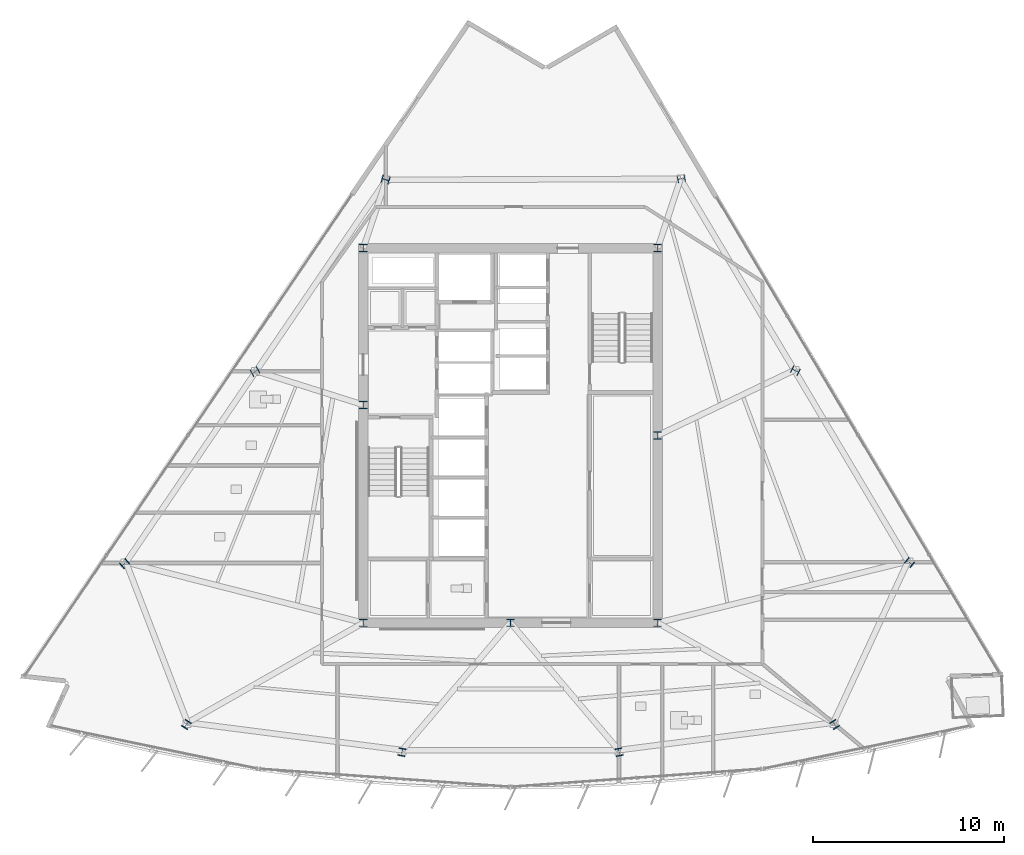
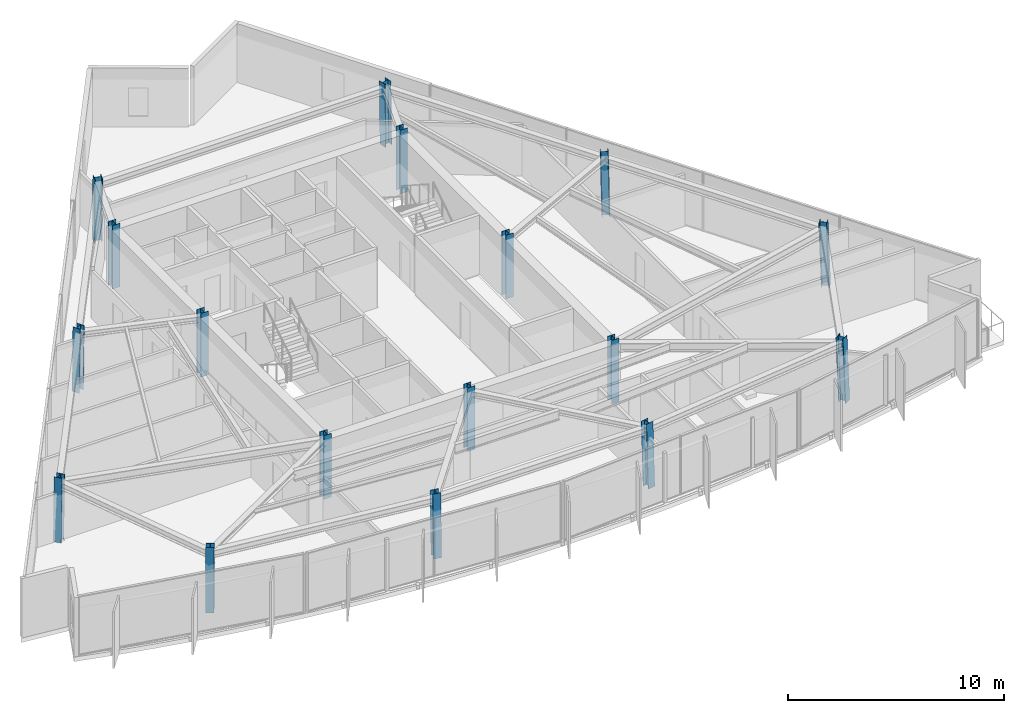
# One storey, part 1 of 15: 17 columns.
"""IFC4 building model written with IfcOpenShell, lengths in metres."""

import ifcopenshell
import ifcopenshell.guid

model = None  # the IFC model being written
_history = None  # IfcOwnerHistory: only IFC2X3 demands one
_inside = {}  # id of a spatial element -> (the spatial element, [elements in it])
_under = {}  # id of a project, library or spatial element -> (it, [spatial elements below it])
_declared = {}  # id of a project -> (the project, [libraries it declares])
_typed = {}  # id of a type object -> (the type object, [elements of that type])
_made_of = {}  # id of a material, layer set ... -> (it, [elements and type objects made of it])


def new_model(schema):
    """Start an empty IFC model of exactly this schema.

    Asked for "IFC4X3", IfcOpenShell would pick the latest addendum, in which some entities
    have other attributes; the version numbers below select the first issue.
    IFC2X3 requires an IfcOwnerHistory on every rooted entity: one is made here for all.
    """
    global model, _history
    if schema == "IFC4X3":
        model = ifcopenshell.file(schema_version=(4, 3, 0, 0))
    else:
        model = ifcopenshell.file(schema=schema)
    _inside.clear()
    _under.clear()
    _declared.clear()
    _typed.clear()
    _made_of.clear()
    _history = None
    if model.schema == "IFC2X3":
        org = make("IfcOrganization", Name="unknown")
        user = make(
            "IfcPersonAndOrganization",
            ThePerson=make("IfcPerson", FamilyName="unknown"),
            TheOrganization=org,
        )
        app = make(
            "IfcApplication",
            ApplicationDeveloper=org,
            Version="unknown",
            ApplicationFullName="unknown",
            ApplicationIdentifier="unknown",
        )
        _history = make(
            "IfcOwnerHistory",
            OwningUser=user,
            OwningApplication=app,
            ChangeAction="ADDED",
            CreationDate=0,
        )
    return model


def make(cls, **values):
    """One entity of the class cls with the attributes given. An attribute that is None is left unset."""
    return model.create_entity(
        cls, **{name: value for name, value in values.items() if value is not None}
    )


def rooted(cls, **values):
    """An entity with a GlobalId (a new one), such as an element, a storey or a relation."""
    return make(cls, GlobalId=ifcopenshell.guid.new(), OwnerHistory=_history, **values)


def si_unit(unit_type, name, prefix=None):
    """IfcSIUnit, for example si_unit("LENGTHUNIT", "METRE", prefix="MILLI")."""
    return make("IfcSIUnit", UnitType=unit_type, Prefix=prefix, Name=name)


def assignment(units):
    """IfcUnitAssignment: the units of a project."""
    return None if units is None else make("IfcUnitAssignment", Units=units)


def point(xyz):
    """IfcCartesianPoint."""
    return None if xyz is None else make("IfcCartesianPoint", Coordinates=xyz)


def direction(xyz):
    """IfcDirection."""
    return None if xyz is None else make("IfcDirection", DirectionRatios=xyz)


def frame(location, z_axis=None, x_axis=None):
    """IfcAxis2Placement3D, a coordinate frame: its origin and axes. An axis left out is left unset."""
    return make(
        "IfcAxis2Placement3D",
        Location=point(location),
        Axis=direction(z_axis),
        RefDirection=direction(x_axis),
    )


def frame_2d(location, x_axis=None):
    """IfcAxis2Placement2D, a coordinate frame in the plane: its origin and x axis."""
    return make(
        "IfcAxis2Placement2D", Location=point(location), RefDirection=direction(x_axis)
    )


def origin():
    """The frame at (0, 0, 0) with its axes left unset."""
    return frame((0.0, 0.0, 0.0))


def origin_2d():
    """The frame at (0, 0) in the plane with its x axis left unset."""
    return frame_2d((0.0, 0.0))


def place(relative_to, where):
    """IfcLocalPlacement: puts the frame where relative to a parent placement (None: the world)."""
    return make(
        "IfcLocalPlacement", PlacementRelTo=relative_to, RelativePlacement=where
    )


def context(
    kind, dimensions, precision=None, world=None, true_north=None, identifier=None
):
    """IfcGeometricRepresentationContext, for example the 3D "Model" context."""
    return make(
        "IfcGeometricRepresentationContext",
        ContextIdentifier=identifier,
        ContextType=kind,
        CoordinateSpaceDimension=dimensions,
        Precision=precision,
        WorldCoordinateSystem=world,
        TrueNorth=true_north,
    )


def subcontext(parent, identifier, kind, view, scale=None):
    """IfcGeometricRepresentationSubContext, for example "Body" below "Model"."""
    return make(
        "IfcGeometricRepresentationSubContext",
        ContextIdentifier=identifier,
        ContextType=kind,
        ParentContext=parent,
        TargetScale=scale,
        TargetView=view,
    )


def project(units=None, contexts=None):
    """IfcProject with its units and contexts."""
    return rooted(
        "IfcProject",
        Name="project",
        RepresentationContexts=contexts,
        UnitsInContext=assignment(units),
    )


def spatial(cls, under=None, at=None, **own):
    """A site, building, storey or space (cls), placed at a placement, below another one or the project."""
    s = rooted(cls, ObjectPlacement=at, **own)
    if under is not None:
        _under.setdefault(under.id(), (under, []))[1].append(s)
    return s


def profile(cls, at=None, kind="AREA", **sizes):
    """A parametric profile (cls). Its sizes go by their IFC names, for example OverallWidth=200.0."""
    return make(cls, ProfileType=kind, Position=at, **sizes)


def i_section(**sizes):
    """IfcIShapeProfileDef."""
    return profile("IfcIShapeProfileDef", **sizes)


def extrude(swept, where, along, depth):
    """IfcExtrudedAreaSolid: the profile swept, set in the frame where, extruded along a direction by depth."""
    return make(
        "IfcExtrudedAreaSolid",
        SweptArea=swept,
        Position=where,
        ExtrudedDirection=direction(along),
        Depth=depth,
    )


def shape(context_of_items, identifier, shape_type, items):
    """IfcShapeRepresentation: the items that make up one representation, for example the "Body"."""
    return make(
        "IfcShapeRepresentation",
        ContextOfItems=context_of_items,
        RepresentationIdentifier=identifier,
        RepresentationType=shape_type,
        Items=items,
    )


def material(Name=None, Category=None):
    """IfcMaterial."""
    return make("IfcMaterial", Name=Name, Category=Category)


def material_profile(
    of_material, cross_section, Name=None, Category=None, Priority=None
):
    """IfcMaterialProfile: a cross section and its material."""
    return make(
        "IfcMaterialProfile",
        Name=Name,
        Material=of_material,
        Profile=cross_section,
        Priority=Priority,
        Category=Category,
    )


def profile_set(profiles, Name=None, composite=None):
    """IfcMaterialProfileSet."""
    return make(
        "IfcMaterialProfileSet",
        Name=Name,
        MaterialProfiles=profiles,
        CompositeProfile=composite,
    )


def made_of(thing, what):
    """Note that an element or type object is made of a material, layer set ...; save() writes the relation."""
    if what is not None:
        _made_of.setdefault(what.id(), (what, []))[1].append(thing)
    return thing


def type_object(cls, material=None, **own):
    """A type object (cls), such as IfcWallType, which elements share."""
    return made_of(rooted(cls, **own), material)


def element(
    cls,
    number,
    at=None,
    inside=None,
    cuts=None,
    type_object=None,
    material=None,
    context=None,
    identifier="Body",
    shape_type=None,
    held_by="IfcProductDefinitionShape",
    body=None,
    shapes=None,
    **own,
):
    """One element of the class cls, such as IfcWall. Its Tag is "e" and its number.

    at: its placement. inside: the storey or other place that contains it. cuts: it is an
    opening in that element (IfcRelVoidsElement). A single representation is given by context,
    identifier, shape_type and body (its items); several are given by shapes. held_by: the class
    of the entity that holds the representations. save() writes the other relations.
    """
    e = rooted(cls, Tag="e%d" % number, ObjectPlacement=at, **own)
    if body is not None:
        shapes = [shape(context, identifier, shape_type, body)]
    if shapes is not None:
        e.Representation = make(held_by, Representations=shapes)
    if inside is not None:
        _inside.setdefault(inside.id(), (inside, []))[1].append(e)
    if cuts is not None:
        rooted(
            "IfcRelVoidsElement", RelatingBuildingElement=cuts, RelatedOpeningElement=e
        )
    if type_object is not None:
        _typed.setdefault(type_object.id(), (type_object, []))[1].append(e)
    return made_of(e, material)


def aggregate(whole, parts):
    """IfcRelAggregates: a whole, such as a stair, and the parts it consists of."""
    return rooted("IfcRelAggregates", RelatingObject=whole, RelatedObjects=parts)


def save(model, path):
    """Write the relations noted so far, then the file.

    IfcRelAggregates (storeys below a building ...), IfcRelContainedInSpatialStructure (elements
    in a storey), IfcRelDefinesByType, IfcRelAssociatesMaterial and IfcRelDeclares: one each for
    every whole, place, type object, material and project.
    """
    for whole, parts in _under.values():
        aggregate(whole, parts)
    for where, things in _inside.values():
        rooted(
            "IfcRelContainedInSpatialStructure",
            RelatedElements=things,
            RelatingStructure=where,
        )
    for kind, things in _typed.values():
        rooted("IfcRelDefinesByType", RelatedObjects=things, RelatingType=kind)
    for what, things in _made_of.values():
        rooted("IfcRelAssociatesMaterial", RelatedObjects=things, RelatingMaterial=what)
    for by, libraries in _declared.values():
        rooted("IfcRelDeclares", RelatingContext=by, RelatedDefinitions=libraries)
    model.write(path)


model = new_model("IFC4")

# Units and contexts
model_context = context("Model", 3, precision=1e-05, world=origin(), true_north=direction((0.0, 1.0)))
body_context = subcontext(model_context, "Body", "Model", "MODEL_VIEW")
ifc_project = project(units=[si_unit("LENGTHUNIT", "METRE"), si_unit("AREAUNIT", "SQUARE_METRE"), si_unit("VOLUMEUNIT", "CUBIC_METRE"), si_unit("PLANEANGLEUNIT", "RADIAN"), si_unit("MASSUNIT", "GRAM", prefix="KILO")], contexts=[model_context])

# Site, building, storey
site_placement = place(None, origin())
site = spatial("IfcSite", under=ifc_project, at=site_placement, CompositionType="ELEMENT")
building_placement = place(site_placement, origin())
building = spatial("IfcBuilding", under=site, at=building_placement, Name="Savorim Split Tower", CompositionType="ELEMENT")
storey_placement = place(building_placement, frame((0.0, 0.0, 198.300048828125)))
storey = spatial("IfcBuildingStorey", under=building, at=storey_placement, Name="L52", CompositionType="ELEMENT", Elevation=198.300048828125)

# Columns
ifc_material = material(Name="Steel S355", Category="steel")
ifc_material_profile = material_profile(ifc_material, i_section(OverallWidth=0.39794921875, OverallDepth=0.386962890625, WebThickness=0.013427734375, FlangeThickness=0.02197265625, FilletRadius=0.014892578125, at=origin_2d()), Name="HD 400x262")
ifc_profile_set = profile_set([ifc_material_profile], Name="Steel S355")
column_type = type_object("IfcColumnType", Name="COL-HD-262", PredefinedType="COLUMN", material=ifc_profile_set)
for number, where, z_axis, x_axis, name in (
    (1, (-7.699951171875, -9.39990234375, 0.0), (0.0, 0.0, 1.0), (1.0, 0.0, 0.0), "L52 Core Structural Column TC-C1"),
    (2, (7.699951171875, -9.39990234375, 0.0), (0.0, 0.0, 1.0), (1.0, 0.0, 0.0), "L52 Core Structural Column TC-C2"),
    (3, (7.699951171875, 10.199951171875, 0.0), (0.0, 0.0, 1.0), (1.0, 0.0, 0.0), "L52 Core Structural Column TC-C3"),
    (4, (-7.699951171875, 10.199951171875, 0.0), (0.0, 0.0, 1.0), (1.0, 0.0, 0.0), "L52 Core Structural Column TC-C4"),
    (5, (0.0, -9.39990234375, 0.0), (0.0, 0.0, 1.0), (1.0, 0.0, 0.0), "L52 Core Structural Column TC-C5"),
    (6, (7.699951171875, 0.39990234375, 0.0), (0.0, 0.0, 1.0), (1.0, 0.0, 0.0), "L52 Core Structural Column TC-C6"),
    (7, (-7.699951171875, 2.0, 0.0), (0.0, 0.0, 1.0), (1.0, 0.0, 0.0), "L52 Core Structural Column TC-C7"),
):
    element("IfcColumn", number, at=place(storey_placement, frame(where, z_axis=z_axis, x_axis=x_axis)), inside=storey, type_object=column_type, Name=name, PredefinedType="COLUMN", context=body_context, shape_type="SweptSolid", body=[
        extrude(i_section(OverallWidth=0.39794921875, OverallDepth=0.386962890625, WebThickness=0.013427734375, FlangeThickness=0.02197265625, FilletRadius=0.014892578125, at=origin_2d()), origin(), (0.0, 0.0, 1.0), 3.599853515625),
    ])
column_1_placement = place(storey_placement, frame((-16.96826171875, -14.739990234375, 0.00537109375), z_axis=(0.020594893987, 0.033509183946, 0.999226193078), x_axis=(-0.851954850327, 0.523615252838, 0.0)))
element("IfcColumn", 8, at=column_1_placement, inside=storey, type_object=column_type, Name="L52 Tapered Perimeter Column PC-S1", PredefinedType="COLUMN", context=body_context, shape_type="SweptSolid", body=[
    extrude(i_section(OverallWidth=0.39794921875, OverallDepth=0.386962890625, WebThickness=0.013427734375, FlangeThickness=0.02197265625, FilletRadius=0.014892578125, at=origin_2d()), origin(), (0.0, 0.0, 1.0), 3.591796875),
])
for number, where, z_axis, x_axis, name in (
    (9, (-5.68701171875, -16.1884765625, 0.00537109375), (0.00693381708, 0.03528089279, 0.999353381334), (-0.981229659911, 0.192842823335, 0.0), "L52 Tapered Perimeter Column PC-S2"),
    (10, (5.68701171875, -16.1884765625, 0.00537109375), (-0.00693381708, 0.03528089279, 0.999353381334), (-0.981229659911, -0.192842823335, 0.0), "L52 Tapered Perimeter Column PC-S3"),
):
    element("IfcColumn", number, at=place(storey_placement, frame(where, z_axis=z_axis, x_axis=x_axis)), inside=storey, type_object=column_type, Name=name, PredefinedType="COLUMN", context=body_context, shape_type="SweptSolid", body=[
        extrude(i_section(OverallWidth=0.39794921875, OverallDepth=0.386962890625, WebThickness=0.013427734375, FlangeThickness=0.02197265625, FilletRadius=0.014892578125, at=origin_2d()), origin(), (0.0, 0.0, 1.0), 3.591552734375),
    ])
column_2_placement = place(storey_placement, frame((16.96826171875, -14.739990234375, 0.00537109375), z_axis=(-0.020594893987, 0.033509183946, 0.999226193078), x_axis=(-0.851954850327, -0.523615252838, 0.0)))
element("IfcColumn", 11, at=column_2_placement, inside=storey, type_object=column_type, Name="L52 Tapered Perimeter Column PC-S4", PredefinedType="COLUMN", context=body_context, shape_type="SweptSolid", body=[
    extrude(i_section(OverallWidth=0.39794921875, OverallDepth=0.386962890625, WebThickness=0.013427734375, FlangeThickness=0.02197265625, FilletRadius=0.014892578125, at=origin_2d()), origin(), (0.0, 0.0, 1.0), 3.591796875),
])
column_3_placement = place(storey_placement, frame((20.889892578125, -6.264404296875, 0.00537109375), z_axis=(-0.026105663043, 0.021618752208, 0.999425396871), x_axis=(-0.637813971185, -0.770190455771, 0.0)))
element("IfcColumn", 12, at=column_3_placement, inside=storey, type_object=column_type, Name="L52 Tapered Perimeter Column PC-E1", PredefinedType="COLUMN", context=body_context, shape_type="SweptSolid", body=[
    extrude(i_section(OverallWidth=0.39794921875, OverallDepth=0.386962890625, WebThickness=0.013427734375, FlangeThickness=0.02197265625, FilletRadius=0.014892578125, at=origin_2d()), origin(), (0.0, 0.0, 1.0), 3.591064453125),
])
column_4_placement = place(storey_placement, frame((14.915771484375, 3.782470703125, 0.00537109375), z_axis=(-0.018906041, 0.009521027842, 0.999775930718), x_axis=(-0.449781931574, -0.893138406984, 0.0)))
element("IfcColumn", 13, at=column_4_placement, inside=storey, type_object=column_type, Name="L52 Tapered Perimeter Column PC-E2", PredefinedType="COLUMN", context=body_context, shape_type="SweptSolid", body=[
    extrude(i_section(OverallWidth=0.39794921875, OverallDepth=0.386962890625, WebThickness=0.013427734375, FlangeThickness=0.02197265625, FilletRadius=0.014892578125, at=origin_2d()), origin(), (0.0, 0.0, 1.0), 3.58984375),
])
for number, where, z_axis, x_axis, name in (
    (14, (8.94189453125, 13.8291015625, 0.00537109375), (-0.011767054935, -0.002516653368, 0.999927598816), (0.209143047003, -0.977885057607, 0.0), "L52 Tapered Perimeter Column PC-E3"),
    (15, (-6.534423828125, 13.780517578125, 0.00537109375), (0.008774546149, -0.002584750028, 0.999958162328), (0.282568886397, 0.959247009086, 0.0), "L52 Tapered Perimeter Column PC-W1"),
):
    element("IfcColumn", number, at=place(storey_placement, frame(where, z_axis=z_axis, x_axis=x_axis)), inside=storey, type_object=column_type, Name=name, PredefinedType="COLUMN", context=body_context, shape_type="SweptSolid", body=[
        extrude(i_section(OverallWidth=0.39794921875, OverallDepth=0.386962890625, WebThickness=0.013427734375, FlangeThickness=0.02197265625, FilletRadius=0.014892578125, at=origin_2d()), origin(), (0.0, 0.0, 1.0), 3.58935546875),
    ])
column_5_placement = place(storey_placement, frame((-13.369140625, 3.733642578125, 0.00537109375), z_axis=(0.01700241672, 0.009521353363, 0.999810112799), x_axis=(-0.488603368932, 0.87250601595, 0.0)))
element("IfcColumn", 16, at=column_5_placement, inside=storey, type_object=column_type, Name="L52 Tapered Perimeter Column PC-W2", PredefinedType="COLUMN", context=body_context, shape_type="SweptSolid", body=[
    extrude(i_section(OverallWidth=0.39794921875, OverallDepth=0.386962890625, WebThickness=0.013427734375, FlangeThickness=0.02197265625, FilletRadius=0.014892578125, at=origin_2d()), origin(), (0.0, 0.0, 1.0), 3.58984375),
])
column_6_placement = place(storey_placement, frame((-20.203857421875, -6.313232421875, 0.00537109375), z_axis=(0.025222449659, 0.021619242565, 0.999448065876), x_axis=(-0.650791373456, 0.759256602365, 0.0)))
element("IfcColumn", 17, at=column_6_placement, inside=storey, type_object=column_type, Name="L52 Tapered Perimeter Column PC-W3", PredefinedType="COLUMN", context=body_context, shape_type="SweptSolid", body=[
    extrude(i_section(OverallWidth=0.39794921875, OverallDepth=0.386962890625, WebThickness=0.013427734375, FlangeThickness=0.02197265625, FilletRadius=0.014892578125, at=origin_2d()), origin(), (0.0, 0.0, 1.0), 3.591064453125),
])

save(model, "model.ifc")
